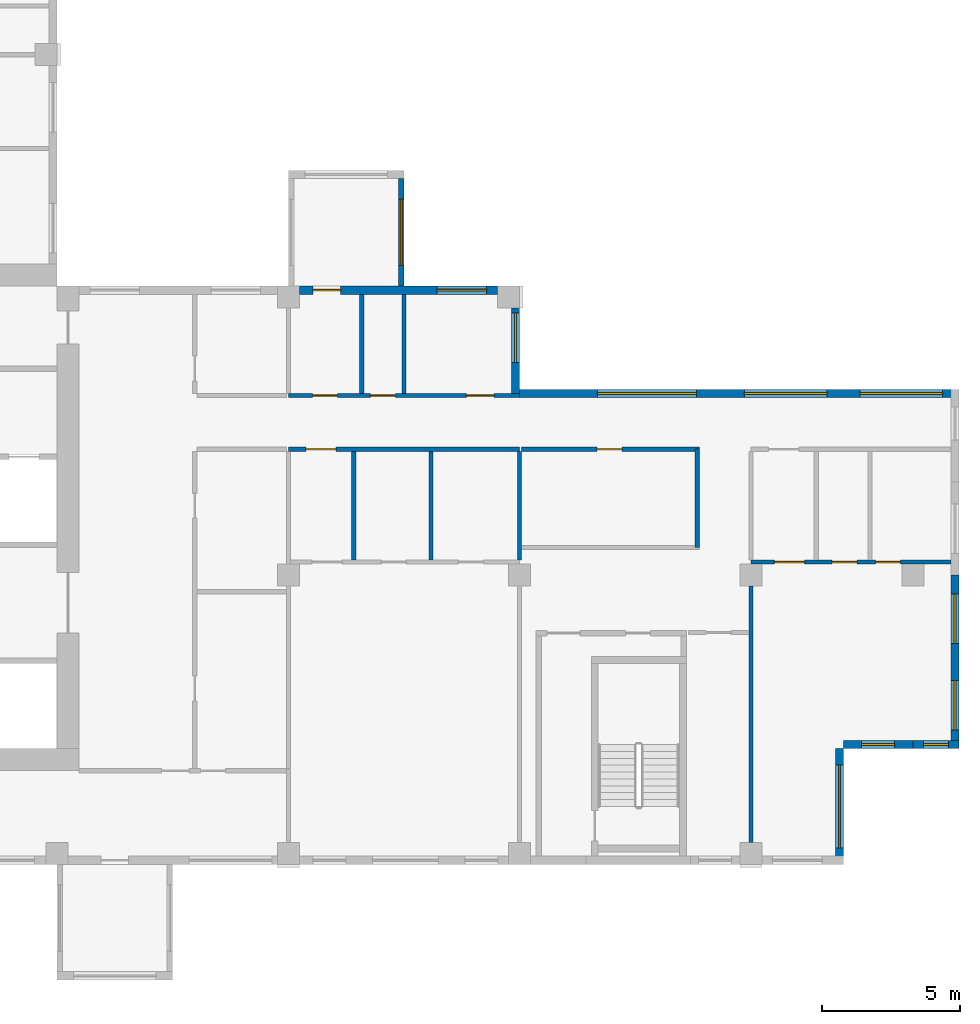
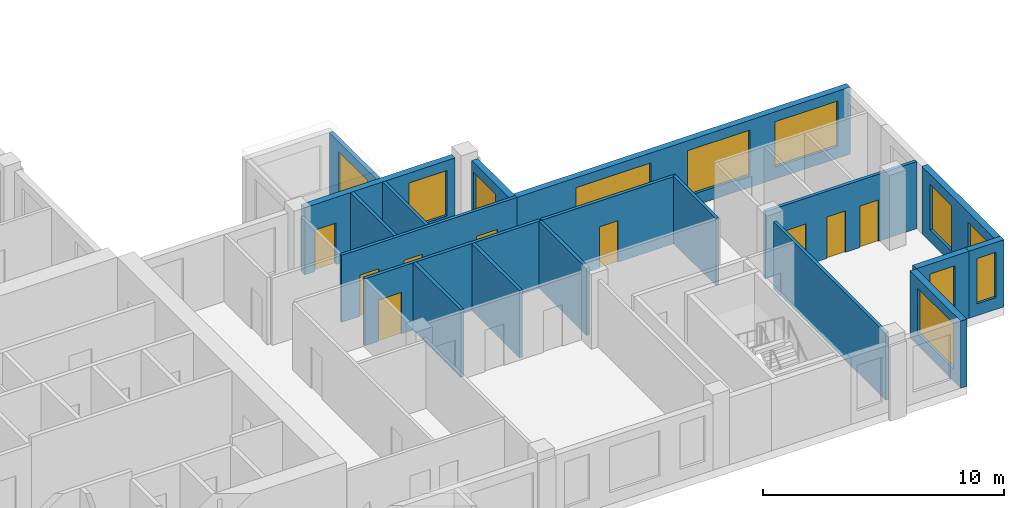
# One storey, part 5 of 12: 19 walls, 11 windows, 9 doors, 20 openings.
"""IFC4 building model written with IfcOpenShell, lengths in metres."""

from ifc_helpers import new_model, si_unit, direction, frame, frame_2d, origin, place, context, subcontext, project, spatial, rectangle, extrude, source, transform, mapped, material, layer, layer_set, type_object, element, fill, save


model = new_model("IFC4")

# Units and contexts
model_context = context("Model", 3, precision=1e-05, world=origin(), true_north=direction((0.0, 1.0)))
body_context = subcontext(model_context, "Body", "Model", "MODEL_VIEW")
ifc_project = project(units=[si_unit("LENGTHUNIT", "METRE"), si_unit("AREAUNIT", "SQUARE_METRE"), si_unit("VOLUMEUNIT", "CUBIC_METRE"), si_unit("PLANEANGLEUNIT", "RADIAN"), si_unit("MASSUNIT", "GRAM", prefix="KILO")], contexts=[model_context])

# Site, building, storey
site_placement = place(None, origin())
site = spatial("IfcSite", under=ifc_project, at=site_placement, CompositionType="ELEMENT")
building_placement = place(site_placement, origin())
building = spatial("IfcBuilding", under=site, at=building_placement, Name="Aurelian Terraces", CompositionType="ELEMENT")
storey_placement = place(building_placement, frame((0.0, 0.0, 246.2)))
storey = spatial("IfcBuildingStorey", under=building, at=storey_placement, Name="L56", CompositionType="ELEMENT", Elevation=246.2)

# Wall, opening, window
ifc_material_1 = material(Name="Terracotta rainscreen cladding", Category="masonry")
ifc_layer_1 = layer(ifc_material_1, 0.3)
ifc_layer_set_1 = layer_set([ifc_layer_1], Name="EW-300")
wall_type_1 = type_object("IfcWallType", Name="EW-300", PredefinedType="STANDARD", material=ifc_layer_set_1)
shared_shape_1 = source(origin(), body_context, "Body", "SweptSolid", [
    extrude(rectangle(XDim=4.2, YDim=0.3, at=frame_2d((2.1, 0.0))), origin(), (0.0, 0.0, 1.0), 3.4),
])
wall_1_placement = place(storey_placement, frame((49.41, 0.0, 0.0), z_axis=(0.0, 0.0, 1.0), x_axis=(0.0, 1.0, 0.0)))
wall_1 = element("IfcWall", 1, at=wall_1_placement, inside=storey, type_object=wall_type_1, Name="External wall L56 F02.8", PredefinedType="STANDARD", context=body_context, shape_type="MappedRepresentation", body=[
    mapped(shared_shape_1, transform((0.0, 0.0, 0.0), scale=1.0)),
])
shared_shape_2 = source(origin(), body_context, "Body", "SweptSolid", [
    extrude(rectangle(XDim=3.0, YDim=2.3, at=frame_2d((1.5, 1.15))), frame((0.0, 0.16, 0.0), z_axis=(0.0, -1.0, 0.0), x_axis=(1.0, 0.0, 0.0)), (0.0, 0.0, 1.0), 0.32),
])
opening_1_placement = place(wall_1_placement, frame((0.6, 0.0, 0.6)))
opening_1 = element("IfcOpeningElement", 2, at=opening_1_placement, cuts=wall_1, Name="Opening W3023", PredefinedType="OPENING", context=body_context, shape_type="MappedRepresentation", body=[
    mapped(shared_shape_2, transform((0.0, 0.0, 0.0), scale=1.0)),
])
ifc_material_2 = material(Name="Clear glazing", Category="glass")
window_type_1 = type_object("IfcWindowType", Name="W-3000x2300", PartitioningType="SINGLE_PANEL", PredefinedType="WINDOW", material=ifc_material_2)
shared_shape_3 = source(origin(), body_context, "Body", "SweptSolid", [
    extrude(rectangle(XDim=3.0, YDim=2.3, at=frame_2d((1.5, 1.15))), frame((0.0, 0.03, 0.0), z_axis=(0.0, -1.0, 0.0), x_axis=(1.0, 0.0, 0.0)), (0.0, 0.0, 1.0), 0.06),
])
window_1_placement = place(opening_1_placement, origin())
window_1 = element("IfcWindow", 3, at=window_1_placement, inside=storey, type_object=window_type_1, Name="Window L56 L56-F02-08-0", OverallHeight=2.3, OverallWidth=3.0, PartitioningType="SINGLE_PANEL", PredefinedType="WINDOW", context=body_context, shape_type="MappedRepresentation", body=[
    mapped(shared_shape_3, transform((0.0, 0.0, 0.0), scale=1.0)),
])
fill(opening_1, window_1)

shared_shape_4 = source(origin(), body_context, "Body", "SweptSolid", [
    extrude(rectangle(XDim=2.52, YDim=0.3, at=frame_2d((1.26, 0.0))), origin(), (0.0, 0.0, 1.0), 3.4),
])
wall_2_placement = place(storey_placement, frame((49.56, 4.35, 0.0), z_axis=(0.0, 0.0, 1.0), x_axis=(1.0, 0.0, 0.0)))
wall_2 = element("IfcWall", 4, at=wall_2_placement, inside=storey, type_object=wall_type_1, Name="External wall L56 F03.9", PredefinedType="STANDARD", context=body_context, shape_type="MappedRepresentation", body=[
    mapped(shared_shape_4, transform((0.0, 0.0, 0.0), scale=1.0)),
])
shared_shape_5 = source(origin(), body_context, "Body", "SweptSolid", [
    extrude(rectangle(XDim=1.2, YDim=2.3, at=frame_2d((0.6, 1.15))), frame((0.0, 0.16, 0.0), z_axis=(0.0, -1.0, 0.0), x_axis=(1.0, 0.0, 0.0)), (0.0, 0.0, 1.0), 0.32),
])
opening_2_placement = place(wall_2_placement, frame((0.66, 0.0, 0.6)))
opening_2 = element("IfcOpeningElement", 5, at=opening_2_placement, cuts=wall_2, Name="Opening W1223", PredefinedType="OPENING", context=body_context, shape_type="MappedRepresentation", body=[
    mapped(shared_shape_5, transform((0.0, 0.0, 0.0), scale=1.0)),
])
window_type_2 = type_object("IfcWindowType", Name="W-1200x2300", PartitioningType="SINGLE_PANEL", PredefinedType="WINDOW", material=ifc_material_2)
shared_shape_6 = source(origin(), body_context, "Body", "SweptSolid", [
    extrude(rectangle(XDim=1.2, YDim=2.3, at=frame_2d((0.6, 1.15))), frame((0.0, 0.03, 0.0), z_axis=(0.0, -1.0, 0.0), x_axis=(1.0, 0.0, 0.0)), (0.0, 0.0, 1.0), 0.06),
])
window_2_placement = place(opening_2_placement, origin())
window_2 = element("IfcWindow", 6, at=window_2_placement, inside=storey, type_object=window_type_2, Name="Window L56 L56-F03-09-0", OverallHeight=2.3, OverallWidth=1.2, PartitioningType="SINGLE_PANEL", PredefinedType="WINDOW", context=body_context, shape_type="MappedRepresentation", body=[
    mapped(shared_shape_6, transform((0.0, 0.0, 0.0), scale=1.0)),
])
fill(opening_2, window_2)

shared_shape_7 = source(origin(), body_context, "Body", "SweptSolid", [
    extrude(rectangle(XDim=1.68, YDim=0.3, at=frame_2d((0.84, 0.0))), origin(), (0.0, 0.0, 1.0), 3.4),
])
wall_3_placement = place(storey_placement, frame((52.08, 4.35, 0.0), z_axis=(0.0, 0.0, 1.0), x_axis=(1.0, 0.0, 0.0)))
wall_3 = element("IfcWall", 7, at=wall_3_placement, inside=storey, type_object=wall_type_1, Name="External wall L56 F03.10", PredefinedType="STANDARD", context=body_context, shape_type="MappedRepresentation", body=[
    mapped(shared_shape_7, transform((0.0, 0.0, 0.0), scale=1.0)),
])
shared_shape_8 = source(origin(), body_context, "Body", "SweptSolid", [
    extrude(rectangle(XDim=0.9, YDim=2.3, at=frame_2d((0.45, 1.15))), frame((0.0, 0.16, 0.0), z_axis=(0.0, -1.0, 0.0), x_axis=(1.0, 0.0, 0.0)), (0.0, 0.0, 1.0), 0.32),
])
opening_3_placement = place(wall_3_placement, frame((0.39, 0.0, 0.6)))
opening_3 = element("IfcOpeningElement", 8, at=opening_3_placement, cuts=wall_3, Name="Opening W0923", PredefinedType="OPENING", context=body_context, shape_type="MappedRepresentation", body=[
    mapped(shared_shape_8, transform((0.0, 0.0, 0.0), scale=1.0)),
])
window_type_3 = type_object("IfcWindowType", Name="W-900x2300", PartitioningType="SINGLE_PANEL", PredefinedType="WINDOW", material=ifc_material_2)
shared_shape_9 = source(origin(), body_context, "Body", "SweptSolid", [
    extrude(rectangle(XDim=0.9, YDim=2.3, at=frame_2d((0.45, 1.15))), frame((0.0, 0.03, 0.0), z_axis=(0.0, -1.0, 0.0), x_axis=(1.0, 0.0, 0.0)), (0.0, 0.0, 1.0), 0.06),
])
window_3_placement = place(opening_3_placement, origin())
window_3 = element("IfcWindow", 9, at=window_3_placement, inside=storey, type_object=window_type_3, Name="Window L56 L56-F03-10-P0", OverallHeight=2.3, OverallWidth=0.9, PartitioningType="SINGLE_PANEL", PredefinedType="WINDOW", context=body_context, shape_type="MappedRepresentation", body=[
    mapped(shared_shape_9, transform((0.0, 0.0, 0.0), scale=1.0)),
])
fill(opening_3, window_3)

ifc_material_3 = material(Name="Concrete fc' 40 MPa", Category="concrete")
ifc_layer_2 = layer(ifc_material_3, 0.2)
ifc_layer_set_2 = layer_set([ifc_layer_2], Name="BOX BEARING WALL 200")
wall_type_2 = type_object("IfcWallType", Name="BOX BEARING WALL 200", PredefinedType="SOLIDWALL", material=ifc_layer_set_2)
shared_shape_10 = source(origin(), body_context, "Body", "SweptSolid", [
    extrude(rectangle(XDim=3.9, YDim=0.2, at=frame_2d((1.95, 0.0))), origin(), (0.0, 0.0, 1.0), 3.4),
])
wall_4_placement = place(storey_placement, frame((33.5, 21.0, 0.0), z_axis=(0.0, 0.0, 1.0), x_axis=(0.0, 1.0, 0.0)))
wall_4 = element("IfcWall", 10, at=wall_4_placement, inside=storey, type_object=wall_type_2, Name="Box return L56 J81.1", PredefinedType="SOLIDWALL", context=body_context, shape_type="MappedRepresentation", body=[
    mapped(shared_shape_10, transform((0.0, 0.0, 0.0), scale=1.0)),
])
shared_shape_11 = source(origin(), body_context, "Body", "SweptSolid", [
    extrude(rectangle(XDim=2.4, YDim=2.3, at=frame_2d((1.2, 1.15))), frame((0.0, 0.11, 0.0), z_axis=(0.0, -1.0, 0.0), x_axis=(1.0, 0.0, 0.0)), (0.0, 0.0, 1.0), 0.22),
])
opening_4_placement = place(wall_4_placement, frame((0.75, 0.0, 0.6)))
opening_4 = element("IfcOpeningElement", 11, at=opening_4_placement, cuts=wall_4, Name="Opening W2423", PredefinedType="OPENING", context=body_context, shape_type="MappedRepresentation", body=[
    mapped(shared_shape_11, transform((0.0, 0.0, 0.0), scale=1.0)),
])
window_type_4 = type_object("IfcWindowType", Name="W-2400x2300", PartitioningType="SINGLE_PANEL", PredefinedType="WINDOW", material=ifc_material_2)
shared_shape_12 = source(origin(), body_context, "Body", "SweptSolid", [
    extrude(rectangle(XDim=2.4, YDim=2.3, at=frame_2d((1.2, 1.15))), frame((0.0, 0.03, 0.0), z_axis=(0.0, -1.0, 0.0), x_axis=(1.0, 0.0, 0.0)), (0.0, 0.0, 1.0), 0.06),
])
window_4_placement = place(opening_4_placement, origin())
window_4 = element("IfcWindow", 12, at=window_4_placement, inside=storey, type_object=window_type_4, Name="Window L56 J81-S1", OverallHeight=2.3, OverallWidth=2.4, PartitioningType="SINGLE_PANEL", PredefinedType="WINDOW", context=body_context, shape_type="MappedRepresentation", body=[
    mapped(shared_shape_12, transform((0.0, 0.0, 0.0), scale=1.0)),
])
fill(opening_4, window_4)

# Wall, openings, windows
shared_shape_13 = source(origin(), body_context, "Body", "SweptSolid", [
    extrude(rectangle(XDim=6.3, YDim=0.3, at=frame_2d((3.15, 0.0))), origin(), (0.0, 0.0, 1.0), 3.4),
])
wall_5_placement = place(storey_placement, frame((53.61, 4.2, 0.0), z_axis=(0.0, 0.0, 1.0), x_axis=(0.0, 1.0, 0.0)))
wall_5 = element("IfcWall", 13, at=wall_5_placement, inside=storey, type_object=wall_type_1, Name="External wall L56 F04.11", PredefinedType="STANDARD", context=body_context, shape_type="MappedRepresentation", body=[
    mapped(shared_shape_13, transform((0.0, 0.0, 0.0), scale=1.0)),
])
shared_shape_14 = source(origin(), body_context, "Body", "SweptSolid", [
    extrude(rectangle(XDim=1.8, YDim=2.3, at=frame_2d((0.9, 1.15))), frame((0.0, 0.16, 0.0), z_axis=(0.0, -1.0, 0.0), x_axis=(1.0, 0.0, 0.0)), (0.0, 0.0, 1.0), 0.32),
])
opening_5_placement = place(wall_5_placement, frame((0.675, 0.0, 0.6)))
opening_5 = element("IfcOpeningElement", 14, at=opening_5_placement, cuts=wall_5, Name="Opening W1823", PredefinedType="OPENING", context=body_context, shape_type="MappedRepresentation", body=[
    mapped(shared_shape_14, transform((0.0, 0.0, 0.0), scale=1.0)),
])
opening_6_placement = place(wall_5_placement, frame((3.825, 0.0, 0.6)))
opening_6 = element("IfcOpeningElement", 15, at=opening_6_placement, cuts=wall_5, Name="Opening W1823", PredefinedType="OPENING", context=body_context, shape_type="MappedRepresentation", body=[
    mapped(shared_shape_14, transform((0.0, 0.0, 0.0), scale=1.0)),
])
window_type_5 = type_object("IfcWindowType", Name="W-1800x2300", PartitioningType="SINGLE_PANEL", PredefinedType="WINDOW", material=ifc_material_2)
shared_shape_15 = source(origin(), body_context, "Body", "SweptSolid", [
    extrude(rectangle(XDim=1.8, YDim=2.3, at=frame_2d((0.9, 1.15))), frame((0.0, 0.03, 0.0), z_axis=(0.0, -1.0, 0.0), x_axis=(1.0, 0.0, 0.0)), (0.0, 0.0, 1.0), 0.06),
])
window_5_placement = place(opening_5_placement, origin())
window_5 = element("IfcWindow", 16, at=window_5_placement, inside=storey, type_object=window_type_5, Name="Window L56 L56-F04-11-0", OverallHeight=2.3, OverallWidth=1.8, PartitioningType="SINGLE_PANEL", PredefinedType="WINDOW", context=body_context, shape_type="MappedRepresentation", body=[
    mapped(shared_shape_15, transform((0.0, 0.0, 0.0), scale=1.0)),
])
fill(opening_5, window_5)
window_6_placement = place(opening_6_placement, origin())
window_6 = element("IfcWindow", 17, at=window_6_placement, inside=storey, type_object=window_type_5, Name="Window L56 L56-F04-11-1", OverallHeight=2.3, OverallWidth=1.8, PartitioningType="SINGLE_PANEL", PredefinedType="WINDOW", context=body_context, shape_type="MappedRepresentation", body=[
    mapped(shared_shape_15, transform((0.0, 0.0, 0.0), scale=1.0)),
])
fill(opening_6, window_6)

shared_shape_16 = source(origin(), body_context, "Body", "SweptSolid", [
    extrude(rectangle(XDim=15.96, YDim=0.3, at=frame_2d((7.98, 0.0))), origin(), (0.0, 0.0, 1.0), 3.4),
])
wall_6_placement = place(storey_placement, frame((53.76, 17.1, 0.0), z_axis=(0.0, 0.0, 1.0), x_axis=(-1.0, 0.0, 0.0)))
wall_6 = element("IfcWall", 18, at=wall_6_placement, inside=storey, type_object=wall_type_1, Name="External wall L56 F05.14", PredefinedType="STANDARD", context=body_context, shape_type="MappedRepresentation", body=[
    mapped(shared_shape_16, transform((0.0, 0.0, 0.0), scale=1.0)),
])
opening_7_placement = place(wall_6_placement, frame((0.6, 0.0, 0.6)))
opening_7 = element("IfcOpeningElement", 19, at=opening_7_placement, cuts=wall_6, Name="Opening W3023", PredefinedType="OPENING", context=body_context, shape_type="MappedRepresentation", body=[
    mapped(shared_shape_2, transform((0.0, 0.0, 0.0), scale=1.0)),
])
opening_8_placement = place(wall_6_placement, frame((4.8, 0.0, 0.6)))
opening_8 = element("IfcOpeningElement", 20, at=opening_8_placement, cuts=wall_6, Name="Opening W3023", PredefinedType="OPENING", context=body_context, shape_type="MappedRepresentation", body=[
    mapped(shared_shape_2, transform((0.0, 0.0, 0.0), scale=1.0)),
])
shared_shape_17 = source(origin(), body_context, "Body", "SweptSolid", [
    extrude(rectangle(XDim=3.6, YDim=2.3, at=frame_2d((1.8, 1.15))), frame((0.0, 0.16, 0.0), z_axis=(0.0, -1.0, 0.0), x_axis=(1.0, 0.0, 0.0)), (0.0, 0.0, 1.0), 0.32),
])
opening_9_placement = place(wall_6_placement, frame((9.54, 0.0, 0.6)))
opening_9 = element("IfcOpeningElement", 21, at=opening_9_placement, cuts=wall_6, Name="Opening W3623", PredefinedType="OPENING", context=body_context, shape_type="MappedRepresentation", body=[
    mapped(shared_shape_17, transform((0.0, 0.0, 0.0), scale=1.0)),
])
window_type_6 = type_object("IfcWindowType", Name="W-3600x2300", PartitioningType="SINGLE_PANEL", PredefinedType="WINDOW", material=ifc_material_2)
shared_shape_18 = source(origin(), body_context, "Body", "SweptSolid", [
    extrude(rectangle(XDim=3.6, YDim=2.3, at=frame_2d((1.8, 1.15))), frame((0.0, 0.03, 0.0), z_axis=(0.0, -1.0, 0.0), x_axis=(1.0, 0.0, 0.0)), (0.0, 0.0, 1.0), 0.06),
])
window_7_placement = place(opening_9_placement, origin())
window_7 = element("IfcWindow", 22, at=window_7_placement, inside=storey, type_object=window_type_6, Name="Window L56 L56-F05-14-2", OverallHeight=2.3, OverallWidth=3.6, PartitioningType="SINGLE_PANEL", PredefinedType="WINDOW", context=body_context, shape_type="MappedRepresentation", body=[
    mapped(shared_shape_18, transform((0.0, 0.0, 0.0), scale=1.0)),
])
fill(opening_9, window_7)
window_8_placement = place(opening_7_placement, origin())
window_8 = element("IfcWindow", 23, at=window_8_placement, inside=storey, type_object=window_type_1, Name="Window L56 L56-F05-14-0", OverallHeight=2.3, OverallWidth=3.0, PartitioningType="SINGLE_PANEL", PredefinedType="WINDOW", context=body_context, shape_type="MappedRepresentation", body=[
    mapped(shared_shape_3, transform((0.0, 0.0, 0.0), scale=1.0)),
])
fill(opening_7, window_8)
window_9_placement = place(opening_8_placement, origin())
window_9 = element("IfcWindow", 24, at=window_9_placement, inside=storey, type_object=window_type_1, Name="Window L56 L56-F05-14-1", OverallHeight=2.3, OverallWidth=3.0, PartitioningType="SINGLE_PANEL", PredefinedType="WINDOW", context=body_context, shape_type="MappedRepresentation", body=[
    mapped(shared_shape_3, transform((0.0, 0.0, 0.0), scale=1.0)),
])
fill(opening_8, window_9)

# Wall, openings, window, door
shared_shape_19 = source(origin(), body_context, "Body", "SweptSolid", [
    extrude(rectangle(XDim=7.2, YDim=0.3, at=frame_2d((3.6, 0.0))), origin(), (0.0, 0.0, 1.0), 3.4),
])
wall_7_placement = place(storey_placement, frame((37.0, 20.85, 0.0), z_axis=(0.0, 0.0, 1.0), x_axis=(-1.0, 0.0, 0.0)))
wall_7 = element("IfcWall", 25, at=wall_7_placement, inside=storey, type_object=wall_type_1, Name="External wall L56 F07.16", PredefinedType="STANDARD", context=body_context, shape_type="MappedRepresentation", body=[
    mapped(shared_shape_19, transform((0.0, 0.0, 0.0), scale=1.0)),
])
opening_10_placement = place(wall_7_placement, frame((0.4, 0.0, 0.6)))
opening_10 = element("IfcOpeningElement", 26, at=opening_10_placement, cuts=wall_7, Name="Opening W1823", PredefinedType="OPENING", context=body_context, shape_type="MappedRepresentation", body=[
    mapped(shared_shape_14, transform((0.0, 0.0, 0.0), scale=1.0)),
])
shared_shape_20 = source(origin(), body_context, "Body", "SweptSolid", [
    extrude(rectangle(XDim=1.0, YDim=2.1, at=frame_2d((0.5, 1.05))), frame((0.0, 0.16, 0.0), z_axis=(0.0, -1.0, 0.0), x_axis=(1.0, 0.0, 0.0)), (0.0, 0.0, 1.0), 0.32),
])
opening_11_placement = place(wall_7_placement, frame((5.7, 0.0, 0.0)))
opening_11 = element("IfcOpeningElement", 27, at=opening_11_placement, cuts=wall_7, Name="Opening 856003", PredefinedType="OPENING", context=body_context, shape_type="MappedRepresentation", body=[
    mapped(shared_shape_20, transform((0.0, 0.0, 0.0), scale=1.0)),
])
window_10_placement = place(opening_10_placement, origin())
window_10 = element("IfcWindow", 28, at=window_10_placement, inside=storey, type_object=window_type_5, Name="Window L56 L56-F07-16-0", OverallHeight=2.3, OverallWidth=1.8, PartitioningType="SINGLE_PANEL", PredefinedType="WINDOW", context=body_context, shape_type="MappedRepresentation", body=[
    mapped(shared_shape_15, transform((0.0, 0.0, 0.0), scale=1.0)),
])
fill(opening_10, window_10)
ifc_material_4 = material(Name="Timber door leaf", Category="wood")
door_type_1 = type_object("IfcDoorType", Name="Room door 1000x2100 left", OperationType="SINGLE_SWING_LEFT", PredefinedType="DOOR", material=ifc_material_4)
shared_shape_21 = source(origin(), body_context, "Body", "SweptSolid", [
    extrude(rectangle(XDim=1.0, YDim=2.1, at=frame_2d((0.5, 1.05))), frame((0.0, 0.025, 0.0), z_axis=(0.0, -1.0, 0.0), x_axis=(1.0, 0.0, 0.0)), (0.0, 0.0, 1.0), 0.05),
])
door_1_placement = place(opening_11_placement, origin())
door_1 = element("IfcDoor", 29, at=door_1_placement, inside=storey, type_object=door_type_1, Name="Door 856003", OperationType="SINGLE_SWING_LEFT", OverallHeight=2.1, OverallWidth=1.0, PredefinedType="DOOR", context=body_context, shape_type="MappedRepresentation", body=[
    mapped(shared_shape_21, transform((0.0, 0.0, 0.0), scale=1.0)),
])
fill(opening_11, door_1)

# Wall, opening, window
shared_shape_22 = source(origin(), body_context, "Body", "SweptSolid", [
    extrude(rectangle(XDim=3.1, YDim=0.3, at=frame_2d((1.55, 0.0))), origin(), (0.0, 0.0, 1.0), 3.4),
])
wall_8_placement = place(storey_placement, frame((37.65, 17.1, 0.0), z_axis=(0.0, 0.0, 1.0), x_axis=(0.0, 1.0, 0.0)))
wall_8 = element("IfcWall", 30, at=wall_8_placement, inside=storey, type_object=wall_type_1, Name="External wall L56 F06.15", PredefinedType="STANDARD", context=body_context, shape_type="MappedRepresentation", body=[
    mapped(shared_shape_22, transform((0.0, 0.0, 0.0), scale=1.0)),
])
opening_12_placement = place(wall_8_placement, frame((1.125, 0.0, 0.6)))
opening_12 = element("IfcOpeningElement", 31, at=opening_12_placement, cuts=wall_8, Name="Opening W1823", PredefinedType="OPENING", context=body_context, shape_type="MappedRepresentation", body=[
    mapped(shared_shape_14, transform((0.0, 0.0, 0.0), scale=1.0)),
])
window_11_placement = place(opening_12_placement, origin())
window_11 = element("IfcWindow", 32, at=window_11_placement, inside=storey, type_object=window_type_5, Name="Window L56 L56-F06-15-0", OverallHeight=2.3, OverallWidth=1.8, PartitioningType="SINGLE_PANEL", PredefinedType="WINDOW", context=body_context, shape_type="MappedRepresentation", body=[
    mapped(shared_shape_15, transform((0.0, 0.0, 0.0), scale=1.0)),
])
fill(opening_12, window_11)

# Wall, opening, door
ifc_material_5 = material(Name="Gypsum board on steel studs", Category="steel")
ifc_layer_3 = layer(ifc_material_5, 0.15)
ifc_layer_set_3 = layer_set([ifc_layer_3], Name="Fire partition 150")
wall_type_3 = type_object("IfcWallType", Name="Fire partition 150", PredefinedType="PARTITIONING", material=ifc_layer_set_3)
shared_shape_23 = source(origin(), body_context, "Body", "SweptSolid", [
    extrude(rectangle(XDim=6.45, YDim=0.15, at=frame_2d((3.225, 0.0))), origin(), (0.0, 0.0, 1.0), 3.4),
])
wall_9_placement = place(storey_placement, frame((44.325, 15.075, 0.0), z_axis=(0.0, 0.0, 1.0), x_axis=(-1.0, 0.0, 0.0)))
wall_9 = element("IfcWall", 33, at=wall_9_placement, inside=storey, type_object=wall_type_3, Name="Corridor wall", PredefinedType="PARTITIONING", context=body_context, shape_type="MappedRepresentation", body=[
    mapped(shared_shape_23, transform((0.0, 0.0, 0.0), scale=1.0)),
])
shared_shape_24 = source(origin(), body_context, "Body", "SweptSolid", [
    extrude(rectangle(XDim=0.9, YDim=2.1, at=frame_2d((0.45, 1.05))), frame((0.0, 0.085, 0.0), z_axis=(0.0, -1.0, 0.0), x_axis=(1.0, 0.0, 0.0)), (0.0, 0.0, 1.0), 0.17),
])
opening_13_placement = place(wall_9_placement, frame((2.8125, 0.0, 0.0)))
opening_13 = element("IfcOpeningElement", 34, at=opening_13_placement, cuts=wall_9, Name="Opening 756005", PredefinedType="OPENING", context=body_context, shape_type="MappedRepresentation", body=[
    mapped(shared_shape_24, transform((0.0, 0.0, 0.0), scale=1.0)),
])
door_type_2 = type_object("IfcDoorType", Name="Room door 900x2100 left", OperationType="SINGLE_SWING_LEFT", PredefinedType="DOOR", material=ifc_material_4)
shared_shape_25 = source(origin(), body_context, "Body", "SweptSolid", [
    extrude(rectangle(XDim=0.9, YDim=2.1, at=frame_2d((0.45, 1.05))), frame((0.0, 0.025, 0.0), z_axis=(0.0, -1.0, 0.0), x_axis=(1.0, 0.0, 0.0)), (0.0, 0.0, 1.0), 0.05),
])
door_2_placement = place(opening_13_placement, origin())
door_2 = element("IfcDoor", 35, at=door_2_placement, inside=storey, type_object=door_type_2, Name="Door 756005", OperationType="SINGLE_SWING_LEFT", OverallHeight=2.1, OverallWidth=0.9, PredefinedType="DOOR", context=body_context, shape_type="MappedRepresentation", body=[
    mapped(shared_shape_25, transform((0.0, 0.0, 0.0), scale=1.0)),
])
fill(opening_13, door_2)

# Walls
ifc_layer_4 = layer(ifc_material_5, 0.15)
ifc_layer_set_4 = layer_set([ifc_layer_4], Name="Partition 150")
wall_type_4 = type_object("IfcWallType", Name="Partition 150", PredefinedType="PARTITIONING", material=ifc_layer_set_4)
shared_shape_26 = source(origin(), body_context, "Body", "SweptSolid", [
    extrude(rectangle(XDim=3.6, YDim=0.15, at=frame_2d((1.8, 0.0))), origin(), (0.0, 0.0, 1.0), 3.4),
])
wall_10_placement = place(storey_placement, frame((32.067, 20.7, 0.0), z_axis=(0.0, 0.0, 1.0), x_axis=(0.0, -1.0, 0.0)))
element("IfcWall", 36, at=wall_10_placement, inside=storey, type_object=wall_type_4, Name="Partition", PredefinedType="PARTITIONING", context=body_context, shape_type="MappedRepresentation", body=[
    mapped(shared_shape_26, transform((0.0, 0.0, 0.0), scale=1.0)),
])
wall_11_placement = place(storey_placement, frame((33.6, 17.1, 0.0), z_axis=(0.0, 0.0, 1.0), x_axis=(0.0, 1.0, 0.0)))
element("IfcWall", 37, at=wall_11_placement, inside=storey, type_object=wall_type_3, Name="Party wall", PredefinedType="PARTITIONING", context=body_context, shape_type="MappedRepresentation", body=[
    mapped(shared_shape_26, transform((0.0, 0.0, 0.0), scale=1.0)),
])

# Wall, opening, door
shared_shape_27 = source(origin(), body_context, "Body", "SweptSolid", [
    extrude(rectangle(XDim=8.4, YDim=0.15, at=frame_2d((4.2, 0.0))), origin(), (0.0, 0.0, 1.0), 3.4),
])
wall_12_placement = place(storey_placement, frame((37.8, 15.075, 0.0), z_axis=(0.0, 0.0, 1.0), x_axis=(-1.0, 0.0, 0.0)))
wall_12 = element("IfcWall", 38, at=wall_12_placement, inside=storey, type_object=wall_type_3, Name="Corridor wall", PredefinedType="PARTITIONING", context=body_context, shape_type="MappedRepresentation", body=[
    mapped(shared_shape_27, transform((0.0, 0.0, 0.0), scale=1.0)),
])
shared_shape_28 = source(origin(), body_context, "Body", "SweptSolid", [
    extrude(rectangle(XDim=1.1, YDim=2.1, at=frame_2d((0.55, 1.05))), frame((0.0, 0.085, 0.0), z_axis=(0.0, -1.0, 0.0), x_axis=(1.0, 0.0, 0.0)), (0.0, 0.0, 1.0), 0.17),
])
opening_14_placement = place(wall_12_placement, frame((6.6615, 0.0, 0.0)))
opening_14 = element("IfcOpeningElement", 39, at=opening_14_placement, cuts=wall_12, Name="Opening 756007", PredefinedType="OPENING", context=body_context, shape_type="MappedRepresentation", body=[
    mapped(shared_shape_28, transform((0.0, 0.0, 0.0), scale=1.0)),
])
ifc_material_6 = material(Name="Steel door leaf", Category="steel")
door_type_3 = type_object("IfcDoorType", Name="Entrance fire door 1100x2100 right", OperationType="SINGLE_SWING_RIGHT", PredefinedType="DOOR", material=ifc_material_6)
shared_shape_29 = source(origin(), body_context, "Body", "SweptSolid", [
    extrude(rectangle(XDim=1.1, YDim=2.1, at=frame_2d((0.55, 1.05))), frame((0.0, 0.025, 0.0), z_axis=(0.0, -1.0, 0.0), x_axis=(1.0, 0.0, 0.0)), (0.0, 0.0, 1.0), 0.05),
])
door_3_placement = place(opening_14_placement, origin())
door_3 = element("IfcDoor", 40, at=door_3_placement, inside=storey, type_object=door_type_3, Name="Door 756007", OperationType="SINGLE_SWING_RIGHT", OverallHeight=2.1, OverallWidth=1.1, PredefinedType="DOOR", context=body_context, shape_type="MappedRepresentation", body=[
    mapped(shared_shape_29, transform((0.0, 0.0, 0.0), scale=1.0)),
])
fill(opening_14, door_3)

# Wall, openings, doors
wall_13_placement = place(storey_placement, frame((29.4, 17.025, 0.0), z_axis=(0.0, 0.0, 1.0), x_axis=(1.0, 0.0, 0.0)))
wall_13 = element("IfcWall", 41, at=wall_13_placement, inside=storey, type_object=wall_type_3, Name="Corridor wall", PredefinedType="PARTITIONING", context=body_context, shape_type="MappedRepresentation", body=[
    mapped(shared_shape_27, transform((0.0, 0.0, 0.0), scale=1.0)),
])
opening_15_placement = place(wall_13_placement, frame((0.8835, 0.0, 0.0)))
opening_15 = element("IfcOpeningElement", 42, at=opening_15_placement, cuts=wall_13, Name="Opening 756015", PredefinedType="OPENING", context=body_context, shape_type="MappedRepresentation", body=[
    mapped(shared_shape_24, transform((0.0, 0.0, 0.0), scale=1.0)),
])
opening_16_placement = place(wall_13_placement, frame((2.9835, 0.0, 0.0)))
opening_16 = element("IfcOpeningElement", 43, at=opening_16_placement, cuts=wall_13, Name="Opening 756016", PredefinedType="OPENING", context=body_context, shape_type="MappedRepresentation", body=[
    mapped(shared_shape_24, transform((0.0, 0.0, 0.0), scale=1.0)),
])
shared_shape_30 = source(origin(), body_context, "Body", "SweptSolid", [
    extrude(rectangle(XDim=1.0, YDim=2.1, at=frame_2d((0.5, 1.05))), frame((0.0, 0.085, 0.0), z_axis=(0.0, -1.0, 0.0), x_axis=(1.0, 0.0, 0.0)), (0.0, 0.0, 1.0), 0.17),
])
opening_17_placement = place(wall_13_placement, frame((6.4625, 0.0, 0.0)))
opening_17 = element("IfcOpeningElement", 44, at=opening_17_placement, cuts=wall_13, Name="Opening 756017", PredefinedType="OPENING", context=body_context, shape_type="MappedRepresentation", body=[
    mapped(shared_shape_30, transform((0.0, 0.0, 0.0), scale=1.0)),
])
door_type_4 = type_object("IfcDoorType", Name="Entrance fire door 1000x2100 right", OperationType="SINGLE_SWING_RIGHT", PredefinedType="DOOR", material=ifc_material_6)
door_4_placement = place(opening_17_placement, origin())
door_4 = element("IfcDoor", 45, at=door_4_placement, inside=storey, type_object=door_type_4, Name="Door 756017", OperationType="SINGLE_SWING_RIGHT", OverallHeight=2.1, OverallWidth=1.0, PredefinedType="DOOR", context=body_context, shape_type="MappedRepresentation", body=[
    mapped(shared_shape_21, transform((0.0, 0.0, 0.0), scale=1.0)),
])
fill(opening_17, door_4)
door_type_5 = type_object("IfcDoorType", Name="Entrance fire door 900x2100 right", OperationType="SINGLE_SWING_RIGHT", PredefinedType="DOOR", material=ifc_material_6)
door_5_placement = place(opening_15_placement, origin())
door_5 = element("IfcDoor", 46, at=door_5_placement, inside=storey, type_object=door_type_5, Name="Door 756015", OperationType="SINGLE_SWING_RIGHT", OverallHeight=2.1, OverallWidth=0.9, PredefinedType="DOOR", context=body_context, shape_type="MappedRepresentation", body=[
    mapped(shared_shape_25, transform((0.0, 0.0, 0.0), scale=1.0)),
])
fill(opening_15, door_5)
door_type_6 = type_object("IfcDoorType", Name="Entrance fire door 900x2100 left", OperationType="SINGLE_SWING_LEFT", PredefinedType="DOOR", material=ifc_material_6)
door_6_placement = place(opening_16_placement, origin())
door_6 = element("IfcDoor", 47, at=door_6_placement, inside=storey, type_object=door_type_6, Name="Door 756016", OperationType="SINGLE_SWING_LEFT", OverallHeight=2.1, OverallWidth=0.9, PredefinedType="DOOR", context=body_context, shape_type="MappedRepresentation", body=[
    mapped(shared_shape_25, transform((0.0, 0.0, 0.0), scale=1.0)),
])
fill(opening_16, door_6)

shared_shape_31 = source(origin(), body_context, "Body", "SweptSolid", [
    extrude(rectangle(XDim=7.26, YDim=0.15, at=frame_2d((3.63, 0.0))), origin(), (0.0, 0.0, 1.0), 3.4),
])
wall_14_placement = place(storey_placement, frame((53.46, 10.975, 0.0), z_axis=(0.0, 0.0, 1.0), x_axis=(-1.0, 0.0, 0.0)))
wall_14 = element("IfcWall", 48, at=wall_14_placement, inside=storey, type_object=wall_type_4, Name="Partition", PredefinedType="PARTITIONING", context=body_context, shape_type="MappedRepresentation", body=[
    mapped(shared_shape_31, transform((0.0, 0.0, 0.0), scale=1.0)),
])
opening_18_placement = place(wall_14_placement, frame((5.3126, 0.0, 0.0)))
opening_18 = element("IfcOpeningElement", 49, at=opening_18_placement, cuts=wall_14, Name="Opening 756012", PredefinedType="OPENING", context=body_context, shape_type="MappedRepresentation", body=[
    mapped(shared_shape_28, transform((0.0, 0.0, 0.0), scale=1.0)),
])
opening_19_placement = place(wall_14_placement, frame((3.4136, 0.0, 0.0)))
opening_19 = element("IfcOpeningElement", 50, at=opening_19_placement, cuts=wall_14, Name="Opening 756013", PredefinedType="OPENING", context=body_context, shape_type="MappedRepresentation", body=[
    mapped(shared_shape_24, transform((0.0, 0.0, 0.0), scale=1.0)),
])
opening_20_placement = place(wall_14_placement, frame((1.831, 0.0, 0.0)))
opening_20 = element("IfcOpeningElement", 51, at=opening_20_placement, cuts=wall_14, Name="Opening 756014", PredefinedType="OPENING", context=body_context, shape_type="MappedRepresentation", body=[
    mapped(shared_shape_24, transform((0.0, 0.0, 0.0), scale=1.0)),
])
door_type_7 = type_object("IfcDoorType", Name="Room door 900x2100 right", OperationType="SINGLE_SWING_RIGHT", PredefinedType="DOOR", material=ifc_material_4)
door_7_placement = place(opening_19_placement, origin())
door_7 = element("IfcDoor", 52, at=door_7_placement, inside=storey, type_object=door_type_7, Name="Door 756013", OperationType="SINGLE_SWING_RIGHT", OverallHeight=2.1, OverallWidth=0.9, PredefinedType="DOOR", context=body_context, shape_type="MappedRepresentation", body=[
    mapped(shared_shape_25, transform((0.0, 0.0, 0.0), scale=1.0)),
])
fill(opening_19, door_7)
door_8_placement = place(opening_20_placement, origin())
door_8 = element("IfcDoor", 53, at=door_8_placement, inside=storey, type_object=door_type_2, Name="Door 756014", OperationType="SINGLE_SWING_LEFT", OverallHeight=2.1, OverallWidth=0.9, PredefinedType="DOOR", context=body_context, shape_type="MappedRepresentation", body=[
    mapped(shared_shape_25, transform((0.0, 0.0, 0.0), scale=1.0)),
])
fill(opening_20, door_8)
door_type_8 = type_object("IfcDoorType", Name="Room door 1100x2100 left", OperationType="SINGLE_SWING_LEFT", PredefinedType="DOOR", material=ifc_material_4)
door_9_placement = place(opening_18_placement, origin())
door_9 = element("IfcDoor", 54, at=door_9_placement, inside=storey, type_object=door_type_8, Name="Door 756012", OperationType="SINGLE_SWING_LEFT", OverallHeight=2.1, OverallWidth=1.1, PredefinedType="DOOR", context=body_context, shape_type="MappedRepresentation", body=[
    mapped(shared_shape_29, transform((0.0, 0.0, 0.0), scale=1.0)),
])
fill(opening_18, door_9)

# Walls
shared_shape_32 = source(origin(), body_context, "Body", "SweptSolid", [
    extrude(rectangle(XDim=3.575, YDim=0.15, at=frame_2d((1.7875, 0.0))), origin(), (0.0, 0.0, 1.0), 3.4),
])
wall_15_placement = place(storey_placement, frame((44.25, 11.5, 0.0), z_axis=(0.0, 0.0, 1.0), x_axis=(0.0, 1.0, 0.0)))
element("IfcWall", 55, at=wall_15_placement, inside=storey, type_object=wall_type_4, Name="Partition", PredefinedType="PARTITIONING", context=body_context, shape_type="MappedRepresentation", body=[
    mapped(shared_shape_32, transform((0.0, 0.0, 0.0), scale=1.0)),
])
shared_shape_33 = source(origin(), body_context, "Body", "SweptSolid", [
    extrude(rectangle(XDim=3.95, YDim=0.15, at=frame_2d((1.975, 0.0))), origin(), (0.0, 0.0, 1.0), 3.4),
])
for number, where, z_axis, x_axis, name in (
    (56, (31.7771, 11.05, 0.0), (0.0, 0.0, 1.0), (0.0, 1.0, 0.0), "Partition"),
    (57, (34.5827, 11.05, 0.0), (0.0, 0.0, 1.0), (0.0, 1.0, 0.0), "Partition"),
):
    element("IfcWall", number, at=place(storey_placement, frame(where, z_axis=z_axis, x_axis=x_axis)), inside=storey, type_object=wall_type_4, Name=name, PredefinedType="PARTITIONING", context=body_context, shape_type="MappedRepresentation", body=[
        mapped(shared_shape_33, transform((0.0, 0.0, 0.0), scale=1.0)),
    ])
wall_16_placement = place(storey_placement, frame((37.8, 11.05, 0.0), z_axis=(0.0, 0.0, 1.0), x_axis=(0.0, 1.0, 0.0)))
element("IfcWall", 58, at=wall_16_placement, inside=storey, type_object=wall_type_3, Name="Party wall", PredefinedType="PARTITIONING", context=body_context, shape_type="MappedRepresentation", body=[
    mapped(shared_shape_33, transform((0.0, 0.0, 0.0), scale=1.0)),
])
shared_shape_34 = source(origin(), body_context, "Body", "SweptSolid", [
    extrude(rectangle(XDim=9.302, YDim=0.15, at=frame_2d((4.651, 0.0))), origin(), (0.0, 0.0, 1.0), 3.4),
])
wall_17_placement = place(storey_placement, frame((46.2, 0.799, 0.0), z_axis=(0.0, 0.0, 1.0), x_axis=(0.0, 1.0, 0.0)))
element("IfcWall", 59, at=wall_17_placement, inside=storey, type_object=wall_type_3, Name="Party wall", PredefinedType="PARTITIONING", context=body_context, shape_type="MappedRepresentation", body=[
    mapped(shared_shape_34, transform((0.0, 0.0, 0.0), scale=1.0)),
])

save(model, "model.ifc")
